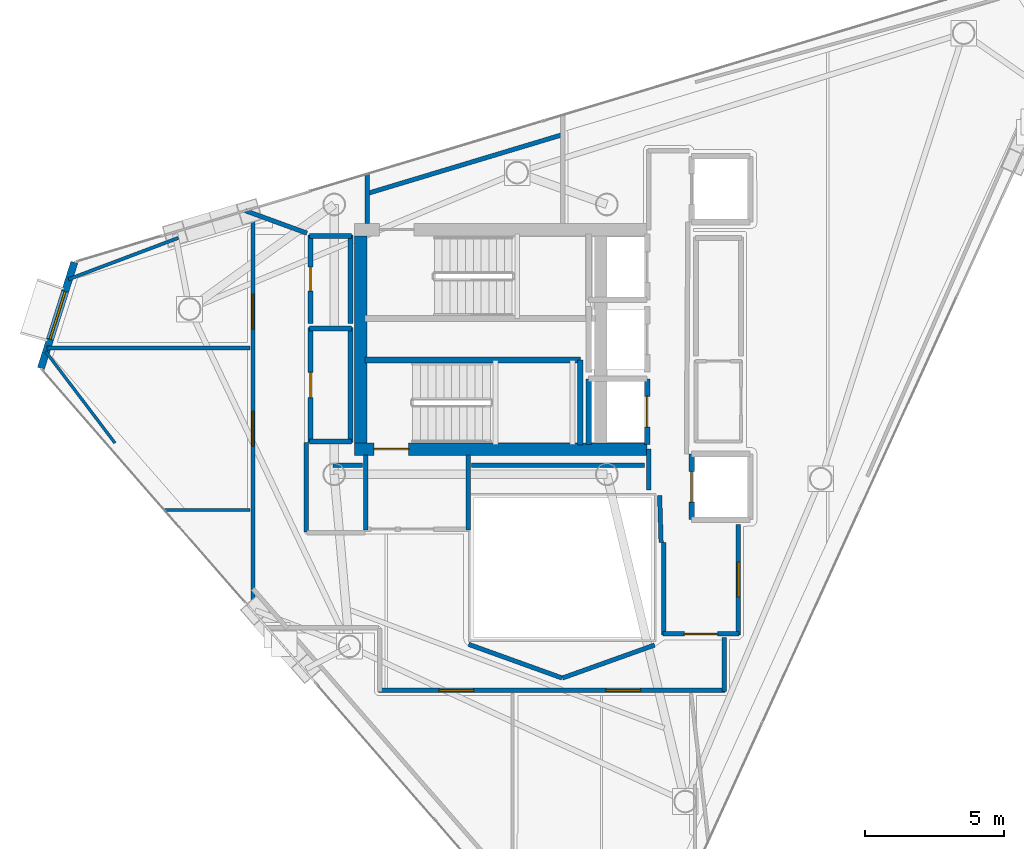
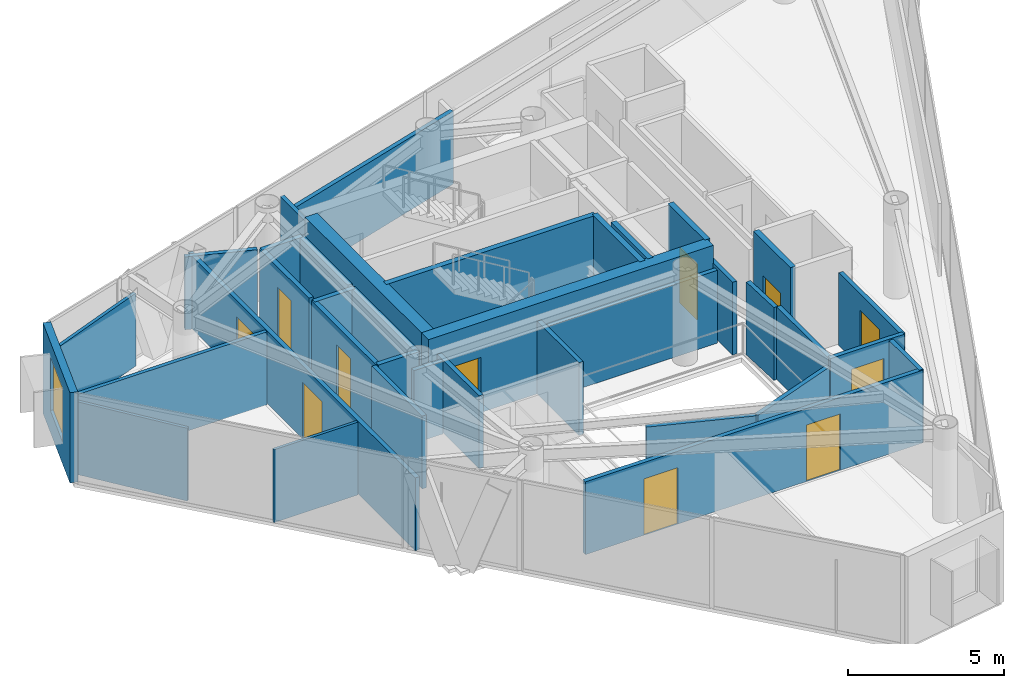
# One storey, part 16 of 19: 37 walls, 11 doors, 1 window, 12 openings.
"""IFC4 building model written with IfcOpenShell, lengths in metres."""

from ifc_helpers import new_model, si_unit, direction, frame, frame_2d, origin, place, context, subcontext, project, spatial, rectangle, extrude, material, layer, layer_set, type_object, element, fill, save


model = new_model("IFC4")

# Units and contexts
model_context = context("Model", 3, precision=1e-05, world=origin(), true_north=direction((0.0, 1.0)))
body_context = subcontext(model_context, "Body", "Model", "MODEL_VIEW")
ifc_project = project(units=[si_unit("LENGTHUNIT", "METRE"), si_unit("AREAUNIT", "SQUARE_METRE"), si_unit("VOLUMEUNIT", "CUBIC_METRE"), si_unit("PLANEANGLEUNIT", "RADIAN"), si_unit("MASSUNIT", "GRAM", prefix="KILO")], contexts=[model_context])

# Site, building, storey
site_placement = place(None, origin())
site = spatial("IfcSite", under=ifc_project, at=site_placement, CompositionType="ELEMENT")
building_placement = place(site_placement, origin())
building = spatial("IfcBuilding", under=site, at=building_placement, Name="Qianvela Tower", CompositionType="ELEMENT")
storey_placement = place(building_placement, frame((0.0, 0.0, 325.89990234375)))
storey = spatial("IfcBuildingStorey", under=building, at=storey_placement, Name="L84", CompositionType="ELEMENT", Elevation=325.89990234375)

# Wall, opening, window
ifc_material_1 = material(Name="Terracotta Cladding on Concrete C40", Category="masonry")
ifc_layer_1 = layer(ifc_material_1, 0.260009765625)
ifc_layer_set_1 = layer_set([ifc_layer_1], Name="Terracotta Cladding on Concrete C40")
wall_type_1 = type_object("IfcWallType", Name="TERRACOTTA-WALL-260", PredefinedType="SOLIDWALL", material=ifc_layer_set_1)
wall_1_placement = place(storey_placement, frame((19.258544921875, 31.47265625, 0.0), z_axis=(0.0, 0.0, 1.0), x_axis=(-0.300558508895, -0.953763378795, 0.0)))
wall_1 = element("IfcWall", 1, at=wall_1_placement, inside=storey, type_object=wall_type_1, Name="L84 Terracotta Chamfer Facet Wall 3", PredefinedType="SOLIDWALL", context=body_context, shape_type="SweptSolid", body=[
    extrude(rectangle(XDim=3.998046875, YDim=0.260009765625, at=frame_2d((1.9990234375, 0.0))), origin(), (0.0, 0.0, 1.0), 3.52001953125),
])
opening_1_placement = place(wall_1_placement, frame((1.09912109375, 0.0, 0.85009765625)))
opening_1 = element("IfcOpeningElement", 2, at=opening_1_placement, cuts=wall_1, Name="Opening W-01", PredefinedType="OPENING", context=body_context, shape_type="SweptSolid", body=[
    extrude(rectangle(XDim=1.800048828125, YDim=2.10009765625, at=frame_2d((0.89990234375, 1.050048828125))), frame((0.0, 0.139892578125, 0.0), z_axis=(0.0, -1.0, 0.0), x_axis=(1.0, 0.0, 0.0)), (0.0, 0.0, 1.0), 0.280029296875),
])
ifc_material_2 = material(Name="Thermally Broken Aluminium and Low-E Glass", Category="aluminium")
window_type = type_object("IfcWindowType", Name="WIN-TC-1800x2100", PartitioningType="DOUBLE_PANEL_VERTICAL", PredefinedType="WINDOW", material=ifc_material_2)
window_placement = place(opening_1_placement, origin())
window = element("IfcWindow", 3, at=window_placement, inside=storey, type_object=window_type, Name="L84 Chamfer Facet Window 3.1", OverallHeight=2.10009765625, OverallWidth=1.800048828125, PartitioningType="SINGLE_PANEL", PredefinedType="WINDOW", context=body_context, shape_type="SweptSolid", body=[
    extrude(rectangle(XDim=1.800048828125, YDim=2.10009765625, at=frame_2d((0.89990234375, 1.050048828125))), frame((0.0, 0.030029296875, 0.0), z_axis=(0.0, -1.0, 0.0), x_axis=(1.0, 0.0, 0.0)), (0.0, 0.0, 1.0), 0.06005859375),
])
fill(opening_1, window)

# Wall, opening, door
ifc_material_3 = material(Name="Concrete C50", Category="concrete")
ifc_layer_2 = layer(ifc_material_3, 0.449951171875)
ifc_layer_set_2 = layer_set([ifc_layer_2], Name="Concrete C50")
wall_type_2 = type_object("IfcWallType", Name="WT-CORE-450", PredefinedType="SHEAR", material=ifc_layer_set_2)
wall_2_placement = place(storey_placement, frame((29.330078125, 24.7548828125, 0.0), z_axis=(0.0, 0.0, 1.0), x_axis=(1.0, 0.0, 0.0)))
wall_2 = element("IfcWall", 4, at=wall_2_placement, inside=storey, type_object=wall_type_2, Name="L84 South Core Shear Wall", PredefinedType="SHEAR", context=body_context, shape_type="SweptSolid", body=[
    extrude(rectangle(XDim=10.52001953125, YDim=0.449951171875, at=frame_2d((5.260009765625, 0.0))), origin(), (0.0, 0.0, 1.0), 3.52001953125),
])
opening_2_placement = place(wall_2_placement, frame((0.695068359375, 0.0, 0.0)))
opening_2 = element("IfcOpeningElement", 5, at=opening_2_placement, cuts=wall_2, Name="Opening D-ST1", PredefinedType="OPENING", context=body_context, shape_type="SweptSolid", body=[
    extrude(rectangle(XDim=1.25, YDim=2.14990234375, at=frame_2d((0.625, 1.074951171875))), frame((0.0, 0.23486328125, 0.0), z_axis=(0.0, -1.0, 0.0), x_axis=(1.0, 0.0, 0.0)), (0.0, 0.0, 1.0), 0.469970703125),
])
ifc_material_4 = material(Name="Galvanised Fire Steel Q355B", Category="steel")
door_type_1 = type_object("IfcDoorType", Name="DT-STAIR-FD90", OperationType="NOTDEFINED", PredefinedType="DOOR", material=ifc_material_4)
door_1_placement = place(opening_2_placement, origin())
door_1 = element("IfcDoor", 6, at=door_1_placement, inside=storey, type_object=door_type_1, Name="L84 Stair ST-2 Exit Door", OperationType="SINGLE_SWING_RIGHT", OverallHeight=2.14990234375, OverallWidth=1.25, PredefinedType="DOOR", context=body_context, shape_type="SweptSolid", body=[
    extrude(rectangle(XDim=1.25, YDim=2.14990234375, at=frame_2d((0.625, 1.074951171875))), frame((0.0, 0.02490234375, 0.0), z_axis=(0.0, -1.0, 0.0), x_axis=(1.0, 0.0, 0.0)), (0.0, 0.0, 1.0), 0.050048828125),
])
fill(opening_2, door_1)

# Walls
wall_3_placement = place(storey_placement, frame((29.554931640625, 24.97998046875, 0.0), z_axis=(0.0, 0.0, 1.0), x_axis=(0.0, 1.0, 0.0)))
element("IfcWall", 7, at=wall_3_placement, inside=storey, type_object=wall_type_2, Name="L84 West Core Shear Wall", PredefinedType="SHEAR", context=body_context, shape_type="SweptSolid", body=[
    extrude(rectangle(XDim=7.43994140625, YDim=0.449951171875, at=frame_2d((3.719970703125, 0.0))), origin(), (0.0, 0.0, 1.0), 3.52001953125),
])
ifc_material_5 = material(Name="Fire-Rated Gypsum and Concrete Block", Category="concrete")
ifc_layer_3 = layer(ifc_material_5, 0.159912109375)
ifc_layer_set_3 = layer_set([ifc_layer_3], Name="Fire-Rated Gypsum and Concrete Block")
wall_type_3 = type_object("IfcWallType", Name="WT-CORR-160", PredefinedType="PARTITIONING", material=ifc_layer_set_3)
wall_4_placement = place(storey_placement, frame((29.7587890625, 33.935302734375, 0.0), z_axis=(0.0, 0.0, 1.0), x_axis=(0.957477622137, 0.288507544281, 0.0)))
element("IfcWall", 8, at=wall_4_placement, inside=storey, type_object=wall_type_3, Name="L84 Partition 1", PredefinedType="PARTITIONING", context=body_context, shape_type="SweptSolid", body=[
    extrude(rectangle(XDim=7.41552734375, YDim=0.159912109375, at=frame_2d((3.707763671875, 0.0))), origin(), (0.0, 0.0, 1.0), 2.840087890625),
])
wall_5_placement = place(storey_placement, frame((29.781005859375, 32.85791015625, 0.0), z_axis=(0.0, 0.0, 1.0), x_axis=(0.0, 1.0, 0.0)))
element("IfcWall", 9, at=wall_5_placement, inside=storey, type_object=wall_type_3, Name="L84 Partition 4", PredefinedType="PARTITIONING", context=body_context, shape_type="SweptSolid", body=[
    extrude(rectangle(XDim=1.804931640625, YDim=0.159912109375, at=frame_2d((0.90234375, 0.0))), origin(), (0.0, 0.0, 1.0), 2.840087890625),
])
for number, where, z_axis, x_axis, name in (
    (10, (29.73095703125, 21.85009765625, 0.0), (0.0, 0.0, 1.0), (0.0, 1.0, 0.0), "L84 Partition 6"),
    (11, (33.4189453125, 24.5419921875, 0.0), (0.0, 0.0, 1.0), (0.0, -1.0, 0.0), "L84 Partition 8"),
):
    element("IfcWall", number, at=place(storey_placement, frame(where, z_axis=z_axis, x_axis=x_axis)), inside=storey, type_object=wall_type_3, Name=name, PredefinedType="PARTITIONING", context=body_context, shape_type="SweptSolid", body=[
        extrude(rectangle(XDim=2.69189453125, YDim=0.159912109375, at=frame_2d((1.345947265625, 0.0))), origin(), (0.0, 0.0, 1.0), 2.840087890625),
    ])
wall_6_placement = place(storey_placement, frame((40.35107421875, 21.40087890625, 0.0), z_axis=(0.0, 0.0, 1.0), x_axis=(-0.031058045979, 0.999517582527, 0.0)))
element("IfcWall", 12, at=wall_6_placement, inside=storey, type_object=wall_type_3, Name="L84 Partition 9", PredefinedType="PARTITIONING", context=body_context, shape_type="SweptSolid", body=[
    extrude(rectangle(XDim=1.68212890625, YDim=0.159912109375, at=frame_2d((0.841064453125, 0.0))), origin(), (0.0, 0.0, 1.0), 2.840087890625),
])
wall_7_placement = place(storey_placement, frame((39.910888671875, 23.280029296875, 0.0), z_axis=(0.0, 0.0, 1.0), x_axis=(0.0, 1.0, 0.0)))
element("IfcWall", 13, at=wall_7_placement, inside=storey, type_object=wall_type_3, Name="L84 Partition 10", PredefinedType="PARTITIONING", context=body_context, shape_type="SweptSolid", body=[
    extrude(rectangle(XDim=1.47998046875, YDim=0.159912109375, at=frame_2d((0.739990234375, 0.0))), origin(), (0.0, 0.0, 1.0), 2.840087890625),
])

# Wall, opening, door
wall_8_placement = place(storey_placement, frame((43.118896484375, 22.050048828125, 0.0), z_axis=(0.0, 0.0, 1.0), x_axis=(0.0, -1.0, 0.0)))
wall_8 = element("IfcWall", 14, at=wall_8_placement, inside=storey, type_object=wall_type_3, Name="L84 Partition 16", PredefinedType="PARTITIONING", context=body_context, shape_type="SweptSolid", body=[
    extrude(rectangle(XDim=3.969970703125, YDim=0.159912109375, at=frame_2d((1.98486328125, 0.0))), origin(), (0.0, 0.0, 1.0), 2.840087890625),
])
opening_3_placement = place(wall_8_placement, frame((1.360107421875, 0.0, 0.0)))
opening_3 = element("IfcOpeningElement", 15, at=opening_3_placement, cuts=wall_8, Name="Opening D-LG1", PredefinedType="OPENING", context=body_context, shape_type="SweptSolid", body=[
    extrude(rectangle(XDim=1.25, YDim=2.199951171875, at=frame_2d((0.625, 1.10009765625))), frame((0.0, 0.08984375, 0.0), z_axis=(0.0, -1.0, 0.0), x_axis=(1.0, 0.0, 0.0)), (0.0, 0.0, 1.0), 0.179931640625),
])
ifc_material_6 = material(Name="Anodised Aluminium Acoustic Glass Door", Category="aluminium")
door_type_2 = type_object("IfcDoorType", Name="DT-LOUNGE-1250", OperationType="NOTDEFINED", PredefinedType="DOOR", material=ifc_material_6)
door_2_placement = place(opening_3_placement, origin())
door_2 = element("IfcDoor", 16, at=door_2_placement, inside=storey, type_object=door_type_2, Name="L84 Door Print Copy Kiosk L84-04 to L84 Lift Lobby", OperationType="SINGLE_SWING_RIGHT", OverallHeight=2.199951171875, OverallWidth=1.25, PredefinedType="DOOR", context=body_context, shape_type="SweptSolid", body=[
    extrude(rectangle(XDim=1.25, YDim=2.199951171875, at=frame_2d((0.625, 1.10009765625))), frame((0.0, 0.02490234375, 0.0), z_axis=(0.0, -1.0, 0.0), x_axis=(1.0, 0.0, 0.0)), (0.0, 0.0, 1.0), 0.050048828125),
])
fill(opening_3, door_2)

wall_9_placement = place(storey_placement, frame((43.14990234375, 18.111083984375, 0.0), z_axis=(0.0, 0.0, 1.0), x_axis=(-1.0, 0.0, 0.0)))
wall_9 = element("IfcWall", 17, at=wall_9_placement, inside=storey, type_object=wall_type_3, Name="L84 Partition 17", PredefinedType="PARTITIONING", context=body_context, shape_type="SweptSolid", body=[
    extrude(rectangle(XDim=2.72998046875, YDim=0.159912109375, at=frame_2d((1.364990234375, 0.0))), origin(), (0.0, 0.0, 1.0), 2.840087890625),
])
opening_4_placement = place(wall_9_placement, frame((0.764892578125, 0.0, 0.0)))
opening_4 = element("IfcOpeningElement", 18, at=opening_4_placement, cuts=wall_9, Name="Opening D-LB1", PredefinedType="OPENING", context=body_context, shape_type="SweptSolid", body=[
    extrude(rectangle(XDim=1.199951171875, YDim=2.14990234375, at=frame_2d((0.60009765625, 1.074951171875))), frame((0.0, 0.08984375, 0.0), z_axis=(0.0, -1.0, 0.0), x_axis=(1.0, 0.0, 0.0)), (0.0, 0.0, 1.0), 0.179931640625),
])
ifc_material_7 = material(Name="Glazed Fire-Rated Steel Frame", Category="steel")
door_type_3 = type_object("IfcDoorType", Name="DT-LOBBY-FD90", OperationType="NOTDEFINED", PredefinedType="DOOR", material=ifc_material_7)
door_3_placement = place(opening_4_placement, origin())
door_3 = element("IfcDoor", 19, at=door_3_placement, inside=storey, type_object=door_type_3, Name="L84 Door L84 Lift Lobby to L84 Floor Corridor", OperationType="SINGLE_SWING_LEFT", OverallHeight=2.14990234375, OverallWidth=1.199951171875, PredefinedType="DOOR", context=body_context, shape_type="SweptSolid", body=[
    extrude(rectangle(XDim=1.199951171875, YDim=2.14990234375, at=frame_2d((0.60009765625, 1.074951171875))), frame((0.0, 0.02490234375, 0.0), z_axis=(0.0, -1.0, 0.0), x_axis=(1.0, 0.0, 0.0)), (0.0, 0.0, 1.0), 0.050048828125),
])
fill(opening_4, door_3)

# Walls
wall_10_placement = place(storey_placement, frame((40.450927734375, 18.080078125, 0.0), z_axis=(0.0, 0.0, 1.0), x_axis=(0.0, 1.0, 0.0)))
element("IfcWall", 20, at=wall_10_placement, inside=storey, type_object=wall_type_3, Name="L84 Partition 18 seg 1", PredefinedType="PARTITIONING", context=body_context, shape_type="SweptSolid", body=[
    extrude(rectangle(XDim=3.31982421875, YDim=0.159912109375, at=frame_2d((1.659912109375, 0.0))), origin(), (0.0, 0.0, 1.0), 2.840087890625),
])
wall_11_placement = place(storey_placement, frame((29.6201171875, 24.180908203125, 0.0), z_axis=(0.0, 0.0, 1.0), x_axis=(-1.0, 0.0, 0.0)))
element("IfcWall", 21, at=wall_11_placement, inside=storey, type_object=wall_type_3, Name="L84 Partition 40", PredefinedType="PARTITIONING", context=body_context, shape_type="SweptSolid", body=[
    extrude(rectangle(XDim=1.070068359375, YDim=0.159912109375, at=frame_2d((0.53515625, 0.0))), origin(), (0.0, 0.0, 1.0), 2.840087890625),
])
wall_12_placement = place(storey_placement, frame((39.75, 24.180908203125, 0.0), z_axis=(0.0, 0.0, 1.0), x_axis=(-1.0, 0.0, 0.0)))
element("IfcWall", 22, at=wall_12_placement, inside=storey, type_object=wall_type_3, Name="L84 Partition 48", PredefinedType="PARTITIONING", context=body_context, shape_type="SweptSolid", body=[
    extrude(rectangle(XDim=6.219970703125, YDim=0.159912109375, at=frame_2d((3.10986328125, 0.0))), origin(), (0.0, 0.0, 1.0), 2.840087890625),
])
wall_13_placement = place(storey_placement, frame((33.433837890625, 17.738037109375, 0.0), z_axis=(0.0, 0.0, 1.0), x_axis=(0.940782662834, -0.339010296764, 0.0)))
element("IfcWall", 23, at=wall_13_placement, inside=storey, type_object=wall_type_3, Name="L84 Partition 50", PredefinedType="PARTITIONING", context=body_context, shape_type="SweptSolid", body=[
    extrude(rectangle(XDim=3.56689453125, YDim=0.159912109375, at=frame_2d((1.783447265625, 0.0))), origin(), (0.0, 0.0, 1.0), 2.840087890625),
])
wall_14_placement = place(storey_placement, frame((36.810302734375, 16.52880859375, 0.0), z_axis=(0.0, 0.0, 1.0), x_axis=(0.941548344365, 0.33687789364, 0.0)))
element("IfcWall", 24, at=wall_14_placement, inside=storey, type_object=wall_type_3, Name="L84 Partition 51", PredefinedType="PARTITIONING", context=body_context, shape_type="SweptSolid", body=[
    extrude(rectangle(XDim=3.5126953125, YDim=0.159912109375, at=frame_2d((1.75634765625, 0.0))), origin(), (0.0, 0.0, 1.0), 2.840087890625),
])
wall_15_placement = place(storey_placement, frame((42.618896484375, 17.97998046875, 0.0), z_axis=(0.0, 0.0, 1.0), x_axis=(0.0, -1.0, 0.0)))
element("IfcWall", 25, at=wall_15_placement, inside=storey, type_object=wall_type_3, Name="L84 Partition 53", PredefinedType="PARTITIONING", context=body_context, shape_type="SweptSolid", body=[
    extrude(rectangle(XDim=1.929931640625, YDim=0.159912109375, at=frame_2d((0.96484375, 0.0))), origin(), (0.0, 0.0, 1.0), 2.840087890625),
])

# Wall, openings, doors
wall_16_placement = place(storey_placement, frame((42.64990234375, 16.0810546875, 0.0), z_axis=(0.0, 0.0, 1.0), x_axis=(-1.0, 0.0, 0.0)))
wall_16 = element("IfcWall", 26, at=wall_16_placement, inside=storey, type_object=wall_type_3, Name="L84 Partition 54", PredefinedType="PARTITIONING", context=body_context, shape_type="SweptSolid", body=[
    extrude(rectangle(XDim=12.449951171875, YDim=0.159912109375, at=frame_2d((6.22509765625, 0.0))), origin(), (0.0, 0.0, 1.0), 2.840087890625),
])
opening_5_placement = place(wall_16_placement, frame((9.037353515625, 0.0, 0.0)))
opening_5 = element("IfcOpeningElement", 27, at=opening_5_placement, cuts=wall_16, Name="Opening D-LG1", PredefinedType="OPENING", context=body_context, shape_type="SweptSolid", body=[
    extrude(rectangle(XDim=1.25, YDim=2.199951171875, at=frame_2d((0.625, 1.10009765625))), frame((0.0, 0.08984375, 0.0), z_axis=(0.0, -1.0, 0.0), x_axis=(1.0, 0.0, 0.0)), (0.0, 0.0, 1.0), 0.179931640625),
])
opening_6_placement = place(wall_16_placement, frame((3.036865234375, 0.0, 0.0)))
opening_6 = element("IfcOpeningElement", 28, at=opening_6_placement, cuts=wall_16, Name="Opening D-LG1", PredefinedType="OPENING", context=body_context, shape_type="SweptSolid", body=[
    extrude(rectangle(XDim=1.25, YDim=2.199951171875, at=frame_2d((0.625, 1.10009765625))), frame((0.0, 0.08984375, 0.0), z_axis=(0.0, -1.0, 0.0), x_axis=(1.0, 0.0, 0.0)), (0.0, 0.0, 1.0), 0.179931640625),
])
door_4_placement = place(opening_5_placement, origin())
door_4 = element("IfcDoor", 29, at=door_4_placement, inside=storey, type_object=door_type_2, Name="L84 Door Quiet Reading Study L84-02 to L84 Floor Corridor", OperationType="SINGLE_SWING_RIGHT", OverallHeight=2.199951171875, OverallWidth=1.25, PredefinedType="DOOR", context=body_context, shape_type="SweptSolid", body=[
    extrude(rectangle(XDim=1.25, YDim=2.199951171875, at=frame_2d((0.625, 1.10009765625))), frame((0.0, 0.02490234375, 0.0), z_axis=(0.0, -1.0, 0.0), x_axis=(1.0, 0.0, 0.0)), (0.0, 0.0, 1.0), 0.050048828125),
])
fill(opening_5, door_4)
door_5_placement = place(opening_6_placement, origin())
door_5 = element("IfcDoor", 30, at=door_5_placement, inside=storey, type_object=door_type_2, Name="L84 Door Stationery Supply Boutique L84-03 to L84 Floor Corridor", OperationType="SINGLE_SWING_LEFT", OverallHeight=2.199951171875, OverallWidth=1.25, PredefinedType="DOOR", context=body_context, shape_type="SweptSolid", body=[
    extrude(rectangle(XDim=1.25, YDim=2.199951171875, at=frame_2d((0.625, 1.10009765625))), frame((0.0, 0.02490234375, 0.0), z_axis=(0.0, -1.0, 0.0), x_axis=(1.0, 0.0, 0.0)), (0.0, 0.0, 1.0), 0.050048828125),
])
fill(opening_6, door_5)

wall_17_placement = place(storey_placement, frame((25.680908203125, 18.906005859375, 0.0), z_axis=(0.0, 0.0, 1.0), x_axis=(0.0, 1.0, 0.0)))
wall_17 = element("IfcWall", 31, at=wall_17_placement, inside=storey, type_object=wall_type_3, Name="L84 Partition 58", PredefinedType="PARTITIONING", context=body_context, shape_type="SweptSolid", body=[
    extrude(rectangle(XDim=14.521484375, YDim=0.159912109375, at=frame_2d((7.2607421875, 0.0))), origin(), (0.0, 0.0, 1.0), 2.840087890625),
])
opening_7_placement = place(wall_17_placement, frame((5.953369140625, 0.0, 0.0)))
opening_7 = element("IfcOpeningElement", 32, at=opening_7_placement, cuts=wall_17, Name="Opening D-LG1", PredefinedType="OPENING", context=body_context, shape_type="SweptSolid", body=[
    extrude(rectangle(XDim=1.25, YDim=2.199951171875, at=frame_2d((0.625, 1.10009765625))), frame((0.0, 0.08984375, 0.0), z_axis=(0.0, -1.0, 0.0), x_axis=(1.0, 0.0, 0.0)), (0.0, 0.0, 1.0), 0.179931640625),
])
opening_8_placement = place(wall_17_placement, frame((10.163818359375, 0.0, 0.0)))
opening_8 = element("IfcOpeningElement", 33, at=opening_8_placement, cuts=wall_17, Name="Opening D-LG1", PredefinedType="OPENING", context=body_context, shape_type="SweptSolid", body=[
    extrude(rectangle(XDim=1.25, YDim=2.199951171875, at=frame_2d((0.625, 1.10009765625))), frame((0.0, 0.08984375, 0.0), z_axis=(0.0, -1.0, 0.0), x_axis=(1.0, 0.0, 0.0)), (0.0, 0.0, 1.0), 0.179931640625),
])
door_6_placement = place(opening_7_placement, origin())
door_6 = element("IfcDoor", 34, at=door_6_placement, inside=storey, type_object=door_type_2, Name="L84 Door Commons Day Lounge L84-01 to L84 Floor Corridor", OperationType="SINGLE_SWING_LEFT", OverallHeight=2.199951171875, OverallWidth=1.25, PredefinedType="DOOR", context=body_context, shape_type="SweptSolid", body=[
    extrude(rectangle(XDim=1.25, YDim=2.199951171875, at=frame_2d((0.625, 1.10009765625))), frame((0.0, 0.02490234375, 0.0), z_axis=(0.0, -1.0, 0.0), x_axis=(1.0, 0.0, 0.0)), (0.0, 0.0, 1.0), 0.050048828125),
])
fill(opening_7, door_6)
door_7_placement = place(opening_8_placement, origin())
door_7 = element("IfcDoor", 35, at=door_7_placement, inside=storey, type_object=door_type_2, Name="L84 Door Campus Convenience Shop L84-05 to L84 Floor Corridor", OperationType="SINGLE_SWING_LEFT", OverallHeight=2.199951171875, OverallWidth=1.25, PredefinedType="DOOR", context=body_context, shape_type="SweptSolid", body=[
    extrude(rectangle(XDim=1.25, YDim=2.199951171875, at=frame_2d((0.625, 1.10009765625))), frame((0.0, 0.02490234375, 0.0), z_axis=(0.0, -1.0, 0.0), x_axis=(1.0, 0.0, 0.0)), (0.0, 0.0, 1.0), 0.050048828125),
])
fill(opening_8, door_7)

# Walls
wall_18_placement = place(storey_placement, frame((25.406982421875, 33.3251953125, 0.0), z_axis=(0.0, 0.0, 1.0), x_axis=(0.939605648966, -0.342259001973, 0.0)))
element("IfcWall", 36, at=wall_18_placement, inside=storey, type_object=wall_type_3, Name="L84 Partition 59", PredefinedType="PARTITIONING", context=body_context, shape_type="SweptSolid", body=[
    extrude(rectangle(XDim=2.35546875, YDim=0.159912109375, at=frame_2d((1.177734375, 0.0))), origin(), (0.0, 0.0, 1.0), 2.840087890625),
])
wall_19_placement = place(storey_placement, frame((27.589111328125, 25.0, 0.0), z_axis=(0.0, 0.0, 1.0), x_axis=(0.0, -1.0, 0.0)))
element("IfcWall", 37, at=wall_19_placement, inside=storey, type_object=wall_type_3, Name="L84 Partition 60 seg 3", PredefinedType="PARTITIONING", context=body_context, shape_type="SweptSolid", body=[
    extrude(rectangle(XDim=3.219970703125, YDim=0.159912109375, at=frame_2d((1.60986328125, 0.0))), origin(), (0.0, 0.0, 1.0), 2.840087890625),
])
ifc_material_8 = material(Name="Lightweight Gypsum Room Partition")
ifc_layer_4 = layer(ifc_material_8, 0.10498046875)
ifc_layer_set_4 = layer_set([ifc_layer_4], Name="Lightweight Gypsum Room Partition")
wall_type_4 = type_object("IfcWallType", Name="WT-PART-105", PredefinedType="PARTITIONING", material=ifc_layer_set_4)
wall_20_placement = place(storey_placement, frame((20.718994140625, 24.974853515625, 0.0), z_axis=(0.0, 0.0, 1.0), x_axis=(-0.603791576921, 0.797142227987, 0.0)))
element("IfcWall", 38, at=wall_20_placement, inside=storey, type_object=wall_type_4, Name="L84 Partition 61 seg 1", PredefinedType="PARTITIONING", context=body_context, shape_type="SweptSolid", body=[
    extrude(rectangle(XDim=4.1240234375, YDim=0.10498046875, at=frame_2d((2.06201171875, 0.0))), origin(), (0.0, 0.0, 1.0), 2.840087890625),
])
wall_21_placement = place(storey_placement, frame((25.570068359375, 22.572998046875, 0.0), z_axis=(0.0, 0.0, 1.0), x_axis=(-1.0, 0.0, 0.0)))
element("IfcWall", 39, at=wall_21_placement, inside=storey, type_object=wall_type_4, Name="L84 Partition 64", PredefinedType="PARTITIONING", context=body_context, shape_type="SweptSolid", body=[
    extrude(rectangle(XDim=3.0927734375, YDim=0.10498046875, at=frame_2d((1.54638671875, 0.0))), origin(), (0.0, 0.0, 1.0), 2.840087890625),
])
ifc_material_9 = material(Name="Insulated Gypsum Stud Partition")
ifc_layer_5 = layer(ifc_material_9, 0.1201171875)
ifc_layer_set_5 = layer_set([ifc_layer_5], Name="Insulated Gypsum Stud Partition")
wall_type_5 = type_object("IfcWallType", Name="WT-PART-120", PredefinedType="PARTITIONING", material=ifc_layer_set_5)
wall_22_placement = place(storey_placement, frame((19.048095703125, 30.85986328125, 0.0), z_axis=(0.0, 0.0, 1.0), x_axis=(0.935745774654, 0.352675268791, 0.0)))
element("IfcWall", 40, at=wall_22_placement, inside=storey, type_object=wall_type_5, Name="L84 Partition 99 seg 1", PredefinedType="PARTITIONING", context=body_context, shape_type="SweptSolid", body=[
    extrude(rectangle(XDim=4.22265625, YDim=0.1201171875, at=frame_2d((2.111328125, 0.0))), origin(), (0.0, 0.0, 1.0), 2.840087890625),
])

# Wall, opening, door
ifc_material_10 = material(Name="Moisture-Resistant Acoustic Plumbing Wall")
ifc_layer_6 = layer(ifc_material_10, 0.175048828125)
ifc_layer_set_6 = layer_set([ifc_layer_6], Name="Moisture-Resistant Acoustic Plumbing Wall")
wall_type_6 = type_object("IfcWallType", Name="WT-PLUMB-175", PredefinedType="PLUMBINGWALL", material=ifc_layer_set_6)
wall_23_placement = place(storey_placement, frame((27.7509765625, 25.0, 0.0), z_axis=(0.0, 0.0, 1.0), x_axis=(0.0, 1.0, 0.0)))
wall_23 = element("IfcWall", 41, at=wall_23_placement, inside=storey, type_object=wall_type_6, Name="L84 Partition 27", PredefinedType="PLUMBINGWALL", context=body_context, shape_type="SweptSolid", body=[
    extrude(rectangle(XDim=4.1201171875, YDim=0.175048828125, at=frame_2d((2.06005859375, 0.0))), origin(), (0.0, 0.0, 1.0), 2.840087890625),
])
opening_9_placement = place(wall_23_placement, frame((1.610107421875, 0.0, 0.0)))
opening_9 = element("IfcOpeningElement", 42, at=opening_9_placement, cuts=wall_23, Name="Opening D-KT1", PredefinedType="OPENING", context=body_context, shape_type="SweptSolid", body=[
    extrude(rectangle(XDim=0.89990234375, YDim=2.10009765625, at=frame_2d((0.449951171875, 1.050048828125))), frame((0.0, 0.097412109375, 0.0), z_axis=(0.0, -1.0, 0.0), x_axis=(1.0, 0.0, 0.0)), (0.0, 0.0, 1.0), 0.195068359375),
])
ifc_material_11 = material(Name="Glazed Timber Kitchen Door", Category="wood")
door_type_4 = type_object("IfcDoorType", Name="DT-KITCH-900", OperationType="NOTDEFINED", PredefinedType="DOOR", material=ifc_material_11)
door_8_placement = place(opening_9_placement, origin())
door_8 = element("IfcDoor", 43, at=door_8_placement, inside=storey, type_object=door_type_4, Name="L84 Door L84 Core Tea Pantry West to L84 Floor Corridor", OperationType="SINGLE_SWING_RIGHT", OverallHeight=2.10009765625, OverallWidth=0.89990234375, PredefinedType="DOOR", context=body_context, shape_type="SweptSolid", body=[
    extrude(rectangle(XDim=0.89990234375, YDim=2.10009765625, at=frame_2d((0.449951171875, 1.050048828125))), frame((0.0, 0.02490234375, 0.0), z_axis=(0.0, -1.0, 0.0), x_axis=(1.0, 0.0, 0.0)), (0.0, 0.0, 1.0), 0.050048828125),
])
fill(opening_9, door_8)

# Walls
wall_24_placement = place(storey_placement, frame((27.719970703125, 29.089111328125, 0.0), z_axis=(0.0, 0.0, 1.0), x_axis=(1.0, 0.0, 0.0)))
element("IfcWall", 44, at=wall_24_placement, inside=storey, type_object=wall_type_6, Name="L84 Partition 28", PredefinedType="PLUMBINGWALL", context=body_context, shape_type="SweptSolid", body=[
    extrude(rectangle(XDim=1.5, YDim=0.175048828125, at=frame_2d((0.75, 0.0))), origin(), (0.0, 0.0, 1.0), 2.840087890625),
])
wall_25_placement = place(storey_placement, frame((29.18896484375, 29.1201171875, 0.0), z_axis=(0.0, 0.0, 1.0), x_axis=(0.0, -1.0, 0.0)))
element("IfcWall", 45, at=wall_25_placement, inside=storey, type_object=wall_type_6, Name="L84 Partition 29", PredefinedType="PLUMBINGWALL", context=body_context, shape_type="SweptSolid", body=[
    extrude(rectangle(XDim=4.1201171875, YDim=0.175048828125, at=frame_2d((2.06005859375, 0.0))), origin(), (0.0, 0.0, 1.0), 2.840087890625),
])
wall_26_placement = place(storey_placement, frame((29.219970703125, 25.031005859375, 0.0), z_axis=(0.0, 0.0, 1.0), x_axis=(-1.0, 0.0, 0.0)))
element("IfcWall", 46, at=wall_26_placement, inside=storey, type_object=wall_type_6, Name="L84 Partition 30", PredefinedType="PLUMBINGWALL", context=body_context, shape_type="SweptSolid", body=[
    extrude(rectangle(XDim=1.5, YDim=0.175048828125, at=frame_2d((0.75, 0.0))), origin(), (0.0, 0.0, 1.0), 2.840087890625),
])

# Wall, opening, door
wall_27_placement = place(storey_placement, frame((27.7509765625, 29.280029296875, 0.0), z_axis=(0.0, 0.0, 1.0), x_axis=(0.0, 1.0, 0.0)))
wall_27 = element("IfcWall", 47, at=wall_27_placement, inside=storey, type_object=wall_type_6, Name="L84 Partition 31", PredefinedType="PLUMBINGWALL", context=body_context, shape_type="SweptSolid", body=[
    extrude(rectangle(XDim=3.169921875, YDim=0.175048828125, at=frame_2d((1.5849609375, 0.0))), origin(), (0.0, 0.0, 1.0), 2.840087890625),
])
opening_10_placement = place(wall_27_placement, frame((1.155029296875, 0.0, 0.0)))
opening_10 = element("IfcOpeningElement", 48, at=opening_10_placement, cuts=wall_27, Name="Opening D-WC1", PredefinedType="OPENING", context=body_context, shape_type="SweptSolid", body=[
    extrude(rectangle(XDim=0.860107421875, YDim=2.050048828125, at=frame_2d((0.43017578125, 1.02490234375))), frame((0.0, 0.097412109375, 0.0), z_axis=(0.0, -1.0, 0.0), x_axis=(1.0, 0.0, 0.0)), (0.0, 0.0, 1.0), 0.195068359375),
])
ifc_material_12 = material(Name="Moisture-Sealed Acoustic Timber Door", Category="wood")
door_type_5 = type_object("IfcDoorType", Name="DT-WC-860", OperationType="NOTDEFINED", PredefinedType="DOOR", material=ifc_material_12)
door_9_placement = place(opening_10_placement, origin())
door_9 = element("IfcDoor", 49, at=door_9_placement, inside=storey, type_object=door_type_5, Name="L84 Door L84 Accessible WC to L84 Floor Corridor", OperationType="SINGLE_SWING_LEFT", OverallHeight=2.050048828125, OverallWidth=0.860107421875, PredefinedType="DOOR", context=body_context, shape_type="SweptSolid", body=[
    extrude(rectangle(XDim=0.860107421875, YDim=2.050048828125, at=frame_2d((0.43017578125, 1.02490234375))), frame((0.0, 0.02490234375, 0.0), z_axis=(0.0, -1.0, 0.0), x_axis=(1.0, 0.0, 0.0)), (0.0, 0.0, 1.0), 0.050048828125),
])
fill(opening_10, door_9)

# Walls
wall_28_placement = place(storey_placement, frame((27.719970703125, 32.4189453125, 0.0), z_axis=(0.0, 0.0, 1.0), x_axis=(1.0, 0.0, 0.0)))
element("IfcWall", 50, at=wall_28_placement, inside=storey, type_object=wall_type_6, Name="L84 Partition 32", PredefinedType="PLUMBINGWALL", context=body_context, shape_type="SweptSolid", body=[
    extrude(rectangle(XDim=1.5, YDim=0.175048828125, at=frame_2d((0.75, 0.0))), origin(), (0.0, 0.0, 1.0), 2.840087890625),
])
wall_29_placement = place(storey_placement, frame((29.18896484375, 32.449951171875, 0.0), z_axis=(0.0, 0.0, 1.0), x_axis=(0.0, -1.0, 0.0)))
element("IfcWall", 51, at=wall_29_placement, inside=storey, type_object=wall_type_6, Name="L84 Partition 33", PredefinedType="PLUMBINGWALL", context=body_context, shape_type="SweptSolid", body=[
    extrude(rectangle(XDim=3.169921875, YDim=0.175048828125, at=frame_2d((1.5849609375, 0.0))), origin(), (0.0, 0.0, 1.0), 2.840087890625),
])
ifc_material_13 = material(Name="Acoustic Double Gypsum Stud Partition")
ifc_layer_7 = layer(ifc_material_13, 0.139892578125)
ifc_layer_set_7 = layer_set([ifc_layer_7], Name="Acoustic Double Gypsum Stud Partition")
wall_type_7 = type_object("IfcWallType", Name="WT-ROOM-140", PredefinedType="PARTITIONING", material=ifc_layer_set_7)
wall_30_placement = place(storey_placement, frame((18.268798828125, 28.395263671875, 0.0), z_axis=(0.0, 0.0, 1.0), x_axis=(1.0, 0.0, 0.0)))
element("IfcWall", 52, at=wall_30_placement, inside=storey, type_object=wall_type_7, Name="L84 Partition 62", PredefinedType="PARTITIONING", context=body_context, shape_type="SweptSolid", body=[
    extrude(rectangle(XDim=7.30126953125, YDim=0.139892578125, at=frame_2d((3.650634765625, 0.0))), origin(), (0.0, 0.0, 1.0), 2.840087890625),
])
ifc_material_14 = material(Name="Concrete C50", Category="concrete")
ifc_layer_8 = layer(ifc_material_14, 0.199951171875)
ifc_layer_set_8 = layer_set([ifc_layer_8], Name="Concrete C50")
wall_type_8 = type_object("IfcWallType", Name="WT-SHAFT-200", PredefinedType="SOLIDWALL", material=ifc_layer_set_8)
wall_31_placement = place(storey_placement, frame((29.699951171875, 27.9599609375, 0.0), z_axis=(0.0, 0.0, 1.0), x_axis=(1.0, 0.0, 0.0)))
element("IfcWall", 53, at=wall_31_placement, inside=storey, type_object=wall_type_8, Name="L84 Stair ST-2 North Wall", PredefinedType="SOLIDWALL", context=body_context, shape_type="SweptSolid", body=[
    extrude(rectangle(XDim=7.75, YDim=0.199951171875, at=frame_2d((3.875, 0.0))), origin(), (0.0, 0.0, 1.0), 3.52001953125),
])
wall_32_placement = place(storey_placement, frame((37.449951171875, 24.89990234375, 0.0), z_axis=(0.0, 0.0, 1.0), x_axis=(0.0, 1.0, 0.0)))
element("IfcWall", 54, at=wall_32_placement, inside=storey, type_object=wall_type_8, Name="L84 Stair ST-2 East Wall", PredefinedType="SOLIDWALL", context=body_context, shape_type="SweptSolid", body=[
    extrude(rectangle(XDim=3.06005859375, YDim=0.199951171875, at=frame_2d((1.530029296875, 0.0))), origin(), (0.0, 0.0, 1.0), 3.52001953125),
])

# Wall, opening, door
wall_33_placement = place(storey_placement, frame((39.85009765625, 24.919921875, 0.0), z_axis=(0.0, 0.0, 1.0), x_axis=(0.0, 1.0, 0.0)))
wall_33 = element("IfcWall", 55, at=wall_33_placement, inside=storey, type_object=wall_type_8, Name="L84 Lift FL-2 E Shaft Wall", PredefinedType="SOLIDWALL", context=body_context, shape_type="SweptSolid", body=[
    extrude(rectangle(XDim=2.360107421875, YDim=0.199951171875, at=frame_2d((1.18017578125, 0.0))), origin(), (0.0, 0.0, 1.0), 3.52001953125),
])
opening_11_placement = place(wall_33_placement, frame((0.6298828125, 0.0, 0.0)))
opening_11 = element("IfcOpeningElement", 56, at=opening_11_placement, cuts=wall_33, Name="Opening LD-01", PredefinedType="OPENING", context=body_context, shape_type="SweptSolid", body=[
    extrude(rectangle(XDim=1.10009765625, YDim=2.14990234375, at=frame_2d((0.550048828125, 1.074951171875))), frame((0.0, 0.10986328125, 0.0), z_axis=(0.0, -1.0, 0.0), x_axis=(1.0, 0.0, 0.0)), (0.0, 0.0, 1.0), 0.219970703125),
])
ifc_material_15 = material(Name="Brushed Stainless Steel Lift Landing Door", Category="steel")
door_type_6 = type_object("IfcDoorType", Name="DT-LIFT-SLIDE-1100", OperationType="SLIDING_TO_LEFT", PredefinedType="DOOR", material=ifc_material_15)
door_10_placement = place(opening_11_placement, origin())
door_10 = element("IfcDoor", 57, at=door_10_placement, inside=storey, type_object=door_type_6, Name="L84 Lift FL-2 Sliding Landing Door", OperationType="SLIDING_TO_LEFT", OverallHeight=2.14990234375, OverallWidth=1.10009765625, PredefinedType="DOOR", context=body_context, shape_type="SweptSolid", body=[
    extrude(rectangle(XDim=1.10009765625, YDim=2.14990234375, at=frame_2d((0.550048828125, 1.074951171875))), frame((0.0, 0.02490234375, 0.0), z_axis=(0.0, -1.0, 0.0), x_axis=(1.0, 0.0, 0.0)), (0.0, 0.0, 1.0), 0.050048828125),
])
fill(opening_11, door_10)

# Wall
wall_34_placement = place(storey_placement, frame((37.75, 24.919921875, 0.0), z_axis=(0.0, 0.0, 1.0), x_axis=(0.0, 1.0, 0.0)))
element("IfcWall", 58, at=wall_34_placement, inside=storey, type_object=wall_type_8, Name="L84 Lift FL-2 W Shaft Wall", PredefinedType="SOLIDWALL", context=body_context, shape_type="SweptSolid", body=[
    extrude(rectangle(XDim=2.360107421875, YDim=0.199951171875, at=frame_2d((1.18017578125, 0.0))), origin(), (0.0, 0.0, 1.0), 3.52001953125),
])

# Wall, opening, door
wall_35_placement = place(storey_placement, frame((41.449951171875, 22.219970703125, 0.0), z_axis=(0.0, 0.0, 1.0), x_axis=(0.0, 1.0, 0.0)))
wall_35 = element("IfcWall", 59, at=wall_35_placement, inside=storey, type_object=wall_type_8, Name="L84 Lift PL-H2 W Shaft Wall", PredefinedType="SOLIDWALL", context=body_context, shape_type="SweptSolid", body=[
    extrude(rectangle(XDim=2.360107421875, YDim=0.199951171875, at=frame_2d((1.18017578125, 0.0))), origin(), (0.0, 0.0, 1.0), 3.52001953125),
])
opening_12_placement = place(wall_35_placement, frame((0.6298828125, 0.0, 0.0)))
opening_12 = element("IfcOpeningElement", 60, at=opening_12_placement, cuts=wall_35, Name="Opening LD-01", PredefinedType="OPENING", context=body_context, shape_type="SweptSolid", body=[
    extrude(rectangle(XDim=1.10009765625, YDim=2.14990234375, at=frame_2d((0.550048828125, 1.074951171875))), frame((0.0, 0.10986328125, 0.0), z_axis=(0.0, -1.0, 0.0), x_axis=(1.0, 0.0, 0.0)), (0.0, 0.0, 1.0), 0.219970703125),
])
door_11_placement = place(opening_12_placement, origin())
door_11 = element("IfcDoor", 61, at=door_11_placement, inside=storey, type_object=door_type_6, Name="L84 Lift PL-H2 Sliding Landing Door", OperationType="SLIDING_TO_LEFT", OverallHeight=2.14990234375, OverallWidth=1.10009765625, PredefinedType="DOOR", context=body_context, shape_type="SweptSolid", body=[
    extrude(rectangle(XDim=1.10009765625, YDim=2.14990234375, at=frame_2d((0.550048828125, 1.074951171875))), frame((0.0, 0.02490234375, 0.0), z_axis=(0.0, -1.0, 0.0), x_axis=(1.0, 0.0, 0.0)), (0.0, 0.0, 1.0), 0.050048828125),
])
fill(opening_12, door_11)

save(model, "model.ifc")
